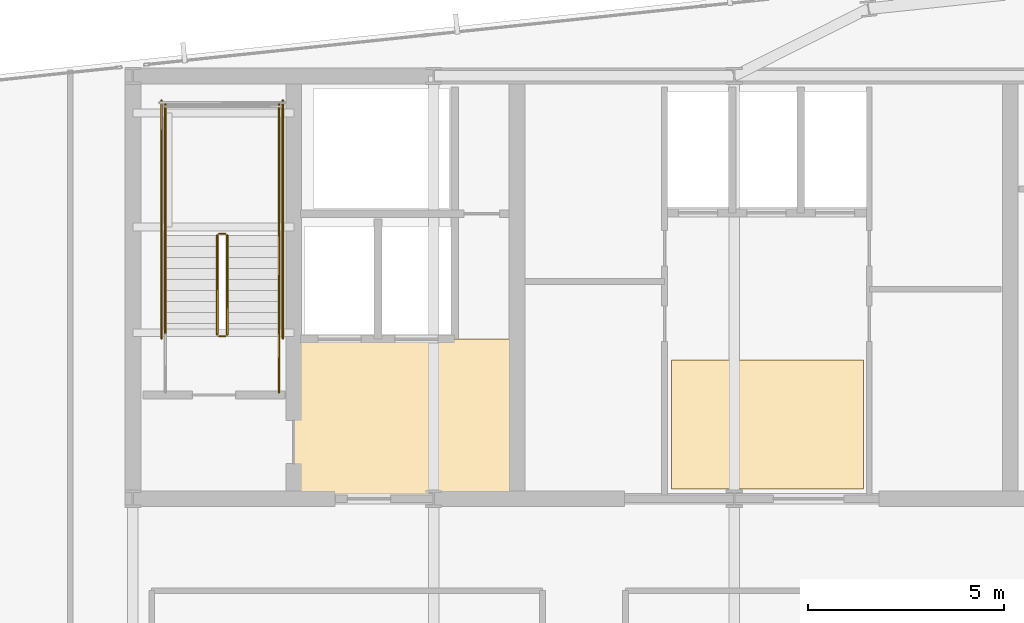
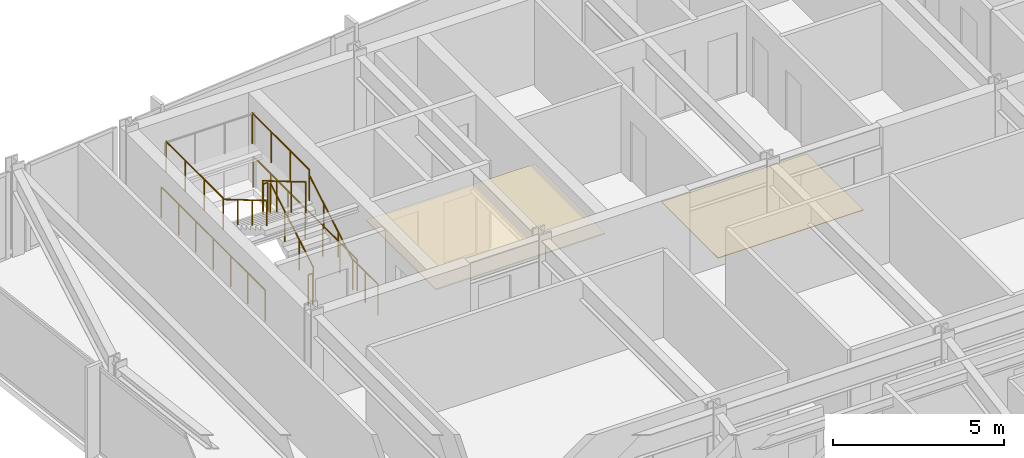
# One storey, part 31 of 33: 11 railings, 2 coverings.
"""IFC4 building model written with IfcOpenShell, lengths in metres."""

from ifc_helpers import new_model, si_unit, direction, frame, origin, origin_2d, place, context, subcontext, project, spatial, polyline, circle, outline, extrude, material, layer, layer_set, type_object, element, save


model = new_model("IFC4")

# Units and contexts
model_context = context("Model", 3, precision=1e-05, world=origin(), true_north=direction((0.0, 1.0)))
body_context = subcontext(model_context, "Body", "Model", "MODEL_VIEW")
ifc_project = project(units=[si_unit("LENGTHUNIT", "METRE"), si_unit("AREAUNIT", "SQUARE_METRE"), si_unit("VOLUMEUNIT", "CUBIC_METRE"), si_unit("PLANEANGLEUNIT", "RADIAN"), si_unit("MASSUNIT", "GRAM", prefix="KILO")], contexts=[model_context])

# Site, building, storey
site_placement = place(None, origin())
site = spatial("IfcSite", under=ifc_project, at=site_placement, CompositionType="ELEMENT")
building_placement = place(site_placement, origin())
building = spatial("IfcBuilding", under=site, at=building_placement, Name="Yelkora Congress Tower", CompositionType="ELEMENT")
storey_placement = place(building_placement, frame((0.0, 0.0, 221.0)))
storey = spatial("IfcBuildingStorey", under=building, at=storey_placement, Name="L61", CompositionType="ELEMENT", Elevation=221.0)

# Coverings
ifc_material_1 = material(Name="Perforated mineral-fibre acoustic ceiling", Category="gypsum")
ifc_layer_1 = layer(ifc_material_1, 0.0400390625)
ifc_layer_set_1 = layer_set([ifc_layer_1], Name="Perforated mineral-fibre acoustic ceiling")
covering_type_1 = type_object("IfcCoveringType", Name="COV-CEIL-ACOUSTIC-40", PredefinedType="CEILING", material=ifc_layer_set_1)
covering_1_placement = place(storey_placement, frame((0.0, 0.0, 2.39990234375)))
element("IfcCovering", 1, at=covering_1_placement, inside=storey, type_object=covering_type_1, Name="L61 Firefighting Lobby Acoustic Ceiling", PredefinedType="CEILING", context=body_context, shape_type="SweptSolid", body=[
    extrude(outline(polyline([(27.14990234375, 35.39990234375), (32.85009765625, 35.39990234375), (32.85009765625, 39.47998046875), (27.14990234375, 39.47998046875), (27.14990234375, 35.39990234375)])), origin(), (0.0, 0.0, 1.0), 0.0400390625),
])
ifc_material_2 = material(Name="Polished Anatolian grey granite tile", Category="masonry")
ifc_layer_2 = layer(ifc_material_2, 0.02001953125)
ifc_layer_set_2 = layer_set([ifc_layer_2], Name="Polished Anatolian grey granite tile")
covering_type_2 = type_object("IfcCoveringType", Name="COV-FLOOR-GRANITE-20", PredefinedType="FLOORING", material=ifc_layer_set_2)
covering_2_placement = place(storey_placement, origin())
element("IfcCovering", 2, at=covering_2_placement, inside=storey, type_object=covering_type_2, Name="L61 Lift Lobby Granite Flooring", PredefinedType="FLOORING", context=body_context, shape_type="SweptSolid", body=[
    extrude(outline(polyline([(36.800048828125, 35.64990234375), (41.699951171875, 35.64990234375), (41.699951171875, 38.949951171875), (36.800048828125, 38.949951171875), (36.800048828125, 35.64990234375)])), origin(), (0.0, 0.0, 1.0), 0.02001953125),
])

# Railings
ifc_material_3 = material(Name="Painted galvanised steel stair well guard with vertical infill", Category="steel")
ifc_layer_3 = layer(ifc_material_3, 0.06005859375)
ifc_layer_set_3 = layer_set([ifc_layer_3], Name="Painted galvanised steel stair well guard with vertical infill")
railing_type_1 = type_object("IfcRailingType", Name="RAIL-STAIR-GUARD-1120", PredefinedType="GUARDRAIL", material=ifc_layer_set_3)
railing_1_placement = place(storey_placement, frame((25.449951171875, 39.60009765625, 0.1650390625)))
element("IfcRailing", 3, at=railing_1_placement, inside=storey, type_object=railing_type_1, Name="ST-01 L61 Stair Well Guardrail 1", PredefinedType="GUARDRAIL", context=body_context, shape_type="SweptSolid", body=[
    extrude(circle(Radius=0.02392578125, at=origin_2d()), frame((0.0, 0.0, 1.09619140625), z_axis=(0.0, 0.861560626758, 0.507654692109), x_axis=(-1.0, 0.0, 0.0)), (0.0, 0.0, 1.0), 2.925048828125),
    extrude(circle(Radius=0.02099609375, at=origin_2d()), origin(), (0.0, 0.0, 1.0), 1.072021484375),
    extrude(circle(Radius=0.02099609375, at=origin_2d()), frame((0.0, 0.840087890625, 0.494873046875)), (0.0, 0.0, 1.0), 1.072021484375),
    extrude(circle(Radius=0.02099609375, at=origin_2d()), frame((0.0, 1.679931640625, 0.989990234375)), (0.0, 0.0, 1.0), 1.072021484375),
    extrude(circle(Radius=0.02099609375, at=origin_2d()), frame((0.0, 2.52001953125, 1.48486328125)), (0.0, 0.0, 1.0), 1.072021484375),
])
railing_2_placement = place(storey_placement, frame((25.39990234375, 42.169921875, 1.64990234375)))
element("IfcRailing", 4, at=railing_2_placement, inside=storey, type_object=railing_type_1, Name="ST-01 L61 Stair Well Guardrail 2", PredefinedType="GUARDRAIL", context=body_context, shape_type="SweptSolid", body=[
    extrude(circle(Radius=0.02392578125, at=origin_2d()), frame((0.0, 0.0, 1.09619140625), z_axis=(-1.0, 0.0, 0.0), x_axis=(0.0, -1.0, 0.0)), (0.0, 0.0, 1.0), 0.159912109375),
    extrude(circle(Radius=0.02099609375, at=origin_2d()), origin(), (0.0, 0.0, 1.0), 1.072021484375),
    extrude(circle(Radius=0.02099609375, at=origin_2d()), frame((-0.159912109375, 0.0, 0.0)), (0.0, 0.0, 1.0), 1.072021484375),
])
for number, where, name in (
    (5, (26.77001953125, 42.1201171875, 1.64990234375), "ST-01 L61 Stair Well Guardrail 3"),
    (6, (23.8701171875, 42.1201171875, 1.64990234375), "ST-01 L61 Stair Well Guardrail 4"),
):
    element("IfcRailing", number, at=place(storey_placement, frame(where)), inside=storey, type_object=railing_type_1, Name=name, PredefinedType="GUARDRAIL", context=body_context, shape_type="SweptSolid", body=[
        extrude(circle(Radius=0.02392578125, at=origin_2d()), frame((0.0, 0.0, 1.09619140625), z_axis=(0.0, 1.0, 0.0), x_axis=(-1.0, 0.0, 0.0)), (0.0, 0.0, 1.0), 3.349853515625),
        extrude(circle(Radius=0.02099609375, at=origin_2d()), origin(), (0.0, 0.0, 1.0), 1.072021484375),
        extrude(circle(Radius=0.02099609375, at=origin_2d()), frame((0.0, 1.11669921875, 0.0)), (0.0, 0.0, 1.0), 1.072021484375),
        extrude(circle(Radius=0.02099609375, at=origin_2d()), frame((0.0, 2.233154296875, 0.0)), (0.0, 0.0, 1.0), 1.072021484375),
        extrude(circle(Radius=0.02099609375, at=origin_2d()), frame((0.0, 3.349853515625, 0.0)), (0.0, 0.0, 1.0), 1.072021484375),
    ])
railing_3_placement = place(storey_placement, frame((25.18994140625, 42.1201171875, 1.81494140625)))
element("IfcRailing", 7, at=railing_3_placement, inside=storey, type_object=railing_type_1, Name="ST-01 L61 Stair Well Guardrail 6", PredefinedType="GUARDRAIL", context=body_context, shape_type="SweptSolid", body=[
    extrude(circle(Radius=0.02392578125, at=origin_2d()), frame((0.0, 0.0, 1.09619140625), z_axis=(0.0, -0.86152411907, 0.507716645641), x_axis=(1.0, 0.0, 0.0)), (0.0, 0.0, 1.0), 2.925048828125),
    extrude(circle(Radius=0.02099609375, at=origin_2d()), origin(), (0.0, 0.0, 1.0), 1.072021484375),
    extrude(circle(Radius=0.02099609375, at=origin_2d()), frame((0.0, -0.840087890625, 0.4951171875)), (0.0, 0.0, 1.0), 1.072021484375),
    extrude(circle(Radius=0.02099609375, at=origin_2d()), frame((0.0, -1.679931640625, 0.989990234375)), (0.0, 0.0, 1.0), 1.072021484375),
    extrude(circle(Radius=0.02099609375, at=origin_2d()), frame((0.0, -2.52001953125, 1.485107421875)), (0.0, 0.0, 1.0), 1.072021484375),
])
railing_4_placement = place(storey_placement, frame((25.39990234375, 39.550048828125, 0.0)))
element("IfcRailing", 8, at=railing_4_placement, inside=storey, type_object=railing_type_1, Name="ST-01 L61 Stair Well Guardrail 7", PredefinedType="GUARDRAIL", context=body_context, shape_type="SweptSolid", body=[
    extrude(circle(Radius=0.02392578125, at=origin_2d()), frame((0.0, 0.0, 1.09619140625), z_axis=(-1.0, 0.0, 0.0), x_axis=(0.0, -1.0, 0.0)), (0.0, 0.0, 1.0), 0.159912109375),
    extrude(circle(Radius=0.02099609375, at=origin_2d()), origin(), (0.0, 0.0, 1.0), 1.072021484375),
    extrude(circle(Radius=0.02099609375, at=origin_2d()), frame((-0.159912109375, 0.0, 0.0)), (0.0, 0.0, 1.0), 1.072021484375),
])
railing_5_placement = place(storey_placement, frame((26.77001953125, 38.1201171875, 0.0)))
element("IfcRailing", 9, at=railing_5_placement, inside=storey, type_object=railing_type_1, Name="ST-01 L61 Stair Well Guardrail 8", PredefinedType="GUARDRAIL", context=body_context, shape_type="SweptSolid", body=[
    extrude(circle(Radius=0.02392578125, at=origin_2d()), frame((0.0, 0.0, 1.09619140625), z_axis=(0.0, 1.0, 0.0), x_axis=(-1.0, 0.0, 0.0)), (0.0, 0.0, 1.0), 1.47998046875),
    extrude(circle(Radius=0.02099609375, at=origin_2d()), origin(), (0.0, 0.0, 1.0), 1.072021484375),
    extrude(circle(Radius=0.02099609375, at=origin_2d()), frame((0.0, 0.739990234375, 0.0)), (0.0, 0.0, 1.0), 1.072021484375),
    extrude(circle(Radius=0.02099609375, at=origin_2d()), frame((0.0, 1.47998046875, 0.0)), (0.0, 0.0, 1.0), 1.072021484375),
])
for number, where, name in (
    (10, (26.8701171875, 39.5, 0.0), "ST-01 L61 Stair Well Guardrail 10"),
    (11, (23.77001953125, 39.5, 0.0), "ST-01 L61 Stair Well Guardrail 11"),
):
    element("IfcRailing", number, at=place(storey_placement, frame(where)), inside=storey, type_object=railing_type_1, Name=name, PredefinedType="GUARDRAIL", context=body_context, shape_type="SweptSolid", body=[
        extrude(circle(Radius=0.02392578125, at=origin_2d()), frame((0.0, 0.0, 1.09619140625), z_axis=(0.0, 1.0, 0.0), x_axis=(-1.0, 0.0, 0.0)), (0.0, 0.0, 1.0), 6.070068359375),
        extrude(circle(Radius=0.02099609375, at=origin_2d()), origin(), (0.0, 0.0, 1.0), 1.072021484375),
        extrude(circle(Radius=0.02099609375, at=origin_2d()), frame((0.0, 1.01171875, 0.0)), (0.0, 0.0, 1.0), 1.072021484375),
        extrude(circle(Radius=0.02099609375, at=origin_2d()), frame((0.0, 2.0234375, 0.0)), (0.0, 0.0, 1.0), 1.072021484375),
        extrude(circle(Radius=0.02099609375, at=origin_2d()), frame((0.0, 3.03515625, 0.0)), (0.0, 0.0, 1.0), 1.072021484375),
        extrude(circle(Radius=0.02099609375, at=origin_2d()), frame((0.0, 4.046630859375, 0.0)), (0.0, 0.0, 1.0), 1.072021484375),
        extrude(circle(Radius=0.02099609375, at=origin_2d()), frame((0.0, 5.058349609375, 0.0)), (0.0, 0.0, 1.0), 1.072021484375),
        extrude(circle(Radius=0.02099609375, at=origin_2d()), frame((0.0, 6.070068359375, 0.0)), (0.0, 0.0, 1.0), 1.072021484375),
    ])
ifc_material_4 = material(Name="Brushed stainless steel tubular handrail", Category="steel")
ifc_layer_4 = layer(ifc_material_4, 0.050048828125)
ifc_layer_set_4 = layer_set([ifc_layer_4], Name="Brushed stainless steel tubular handrail")
railing_type_2 = type_object("IfcRailingType", Name="RAIL-STAIR-HAND-920", PredefinedType="HANDRAIL", material=ifc_layer_set_4)
railing_6_placement = place(storey_placement, frame((26.77001953125, 39.60009765625, 0.1650390625)))
element("IfcRailing", 12, at=railing_6_placement, inside=storey, type_object=railing_type_2, Name="ST-01 L61 Pitch Handrail 1", PredefinedType="HANDRAIL", context=body_context, shape_type="SweptSolid", body=[
    extrude(circle(Radius=0.02392578125, at=origin_2d()), frame((0.0, 0.0, 0.89599609375), z_axis=(0.0, 0.861560626758, 0.507654692109), x_axis=(-1.0, 0.0, 0.0)), (0.0, 0.0, 1.0), 2.925048828125),
    extrude(circle(Radius=0.02099609375, at=origin_2d()), origin(), (0.0, 0.0, 1.0), 0.871826171875),
    extrude(circle(Radius=0.02099609375, at=origin_2d()), frame((0.0, 0.840087890625, 0.494873046875)), (0.0, 0.0, 1.0), 0.871826171875),
    extrude(circle(Radius=0.02099609375, at=origin_2d()), frame((0.0, 1.679931640625, 0.989990234375)), (0.0, 0.0, 1.0), 0.871826171875),
    extrude(circle(Radius=0.02099609375, at=origin_2d()), frame((0.0, 2.52001953125, 1.48486328125)), (0.0, 0.0, 1.0), 0.871826171875),
])
railing_7_placement = place(storey_placement, frame((23.8701171875, 42.1201171875, 1.81494140625)))
element("IfcRailing", 13, at=railing_7_placement, inside=storey, type_object=railing_type_2, Name="ST-01 L61 Pitch Handrail 2", PredefinedType="HANDRAIL", context=body_context, shape_type="SweptSolid", body=[
    extrude(circle(Radius=0.02392578125, at=origin_2d()), frame((0.0, 0.0, 0.89599609375), z_axis=(0.0, -0.86152411907, 0.507716645641), x_axis=(1.0, 0.0, 0.0)), (0.0, 0.0, 1.0), 2.925048828125),
    extrude(circle(Radius=0.02099609375, at=origin_2d()), origin(), (0.0, 0.0, 1.0), 0.871826171875),
    extrude(circle(Radius=0.02099609375, at=origin_2d()), frame((0.0, -0.840087890625, 0.4951171875)), (0.0, 0.0, 1.0), 0.871826171875),
    extrude(circle(Radius=0.02099609375, at=origin_2d()), frame((0.0, -1.679931640625, 0.989990234375)), (0.0, 0.0, 1.0), 0.871826171875),
    extrude(circle(Radius=0.02099609375, at=origin_2d()), frame((0.0, -2.52001953125, 1.485107421875)), (0.0, 0.0, 1.0), 0.871826171875),
])

save(model, "model.ifc")
